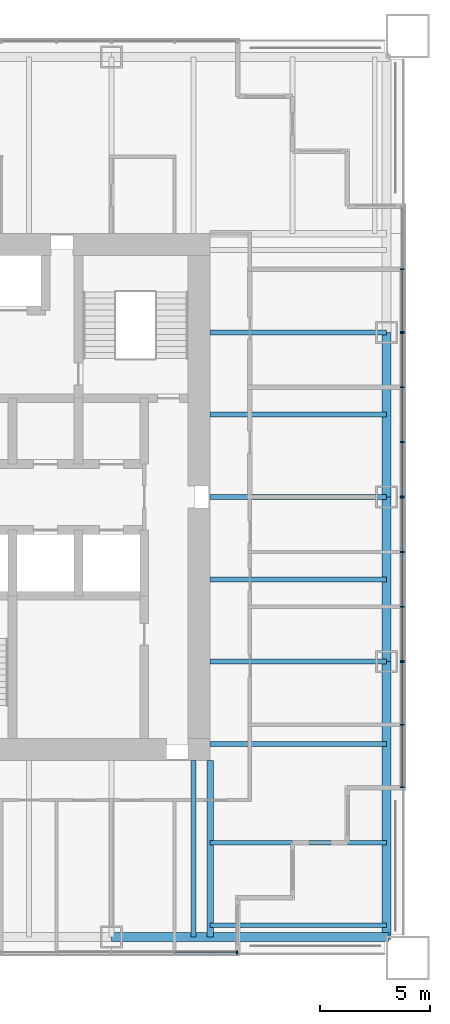
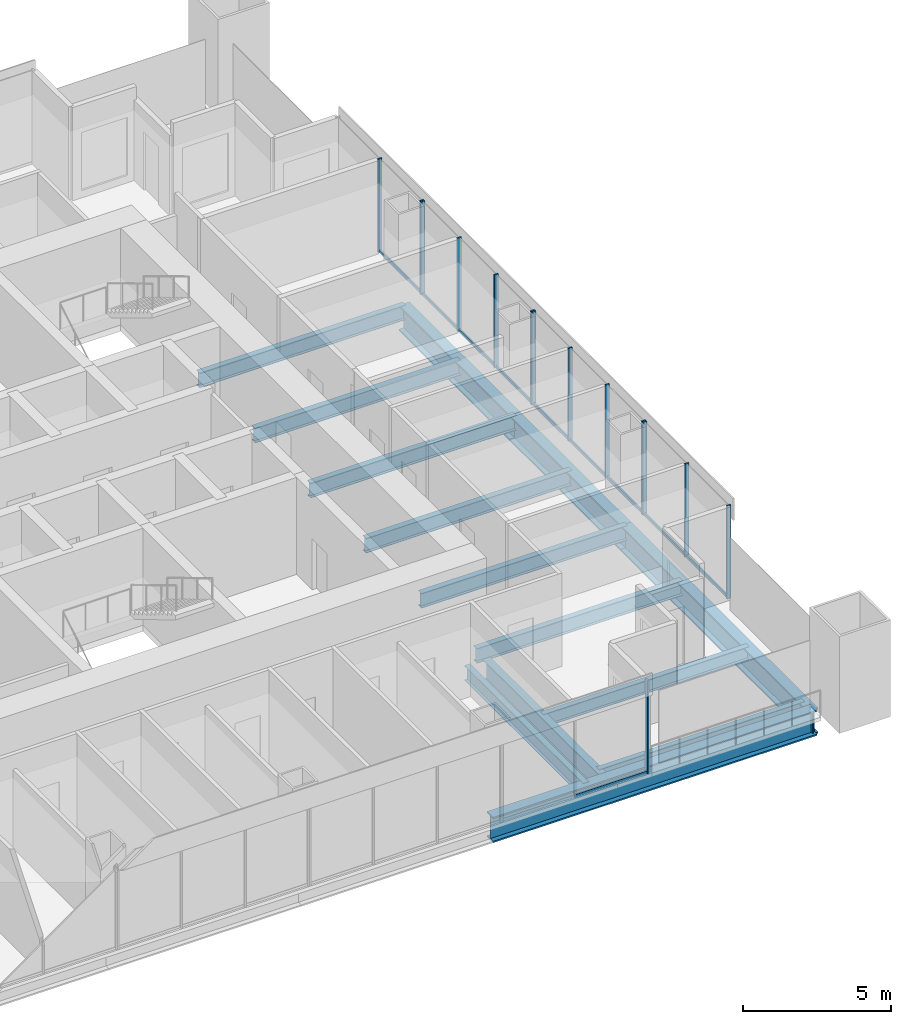
# One storey, part 5 of 15: 24 members, 14 beams, 5 elements without a shape of their own.
"""IFC4 building model written with IfcOpenShell, lengths in metres."""

from ifc_helpers import new_model, si_unit, direction, frame, origin, origin_2d, place, context, subcontext, project, spatial, rectangle, i_section, extrude, material, material_profile, profile_set, type_object, element, aggregate, save


model = new_model("IFC4")

# Units and contexts
model_context = context("Model", 3, precision=1e-05, world=origin(), true_north=direction((0.0, 1.0)))
body_context = subcontext(model_context, "Body", "Model", "MODEL_VIEW")
ifc_project = project(units=[si_unit("LENGTHUNIT", "METRE"), si_unit("AREAUNIT", "SQUARE_METRE"), si_unit("VOLUMEUNIT", "CUBIC_METRE"), si_unit("PLANEANGLEUNIT", "RADIAN"), si_unit("MASSUNIT", "GRAM", prefix="KILO")], contexts=[model_context])

# Site, building, storey
site_placement = place(None, origin())
site = spatial("IfcSite", under=ifc_project, at=site_placement, CompositionType="ELEMENT")
building_placement = place(site_placement, origin())
building = spatial("IfcBuilding", under=site, at=building_placement, Name="Tarangal Relay Tower", CompositionType="ELEMENT")
storey_placement = place(building_placement, frame((0.0, 0.0, 299.89990234375)))
storey = spatial("IfcBuildingStorey", under=building, at=storey_placement, Name="L66", CompositionType="ELEMENT", Elevation=299.89990234375)

# Beams
ifc_material_1 = material(Name="Steel ASTM A992", Category="steel")
ifc_material_profile_1 = material_profile(ifc_material_1, i_section(OverallWidth=0.209228515625, OverallDepth=0.533447265625, WebThickness=0.01025390625, FlangeThickness=0.015625, at=origin_2d()), Name="W21X62")
ifc_profile_set_1 = profile_set([ifc_material_profile_1], Name="Steel ASTM A992")
beam_type_1 = type_object("IfcBeamType", Name="Corner beam W21X62", PredefinedType="JOIST", material=ifc_profile_set_1)
for number, where, z_axis, x_axis, name in (
    (1, (12.0, -15.75, -0.41650390625), (1.0, 0.0, 0.0), (0.0, 1.0, 0.0), "Corner beam CB12 E L66"),
    (2, (12.0, -19.5, -0.41650390625), (1.0, 0.0, 0.0), (0.0, 1.0, 0.0), "Corner beam CB12 E L66"),
):
    element("IfcBeam", number, at=place(storey_placement, frame(where, z_axis=z_axis, x_axis=x_axis)), inside=storey, type_object=beam_type_1, Name=name, PredefinedType="JOIST", context=body_context, shape_type="SweptSolid", body=[
        extrude(i_section(OverallWidth=0.209228515625, OverallDepth=0.533447265625, WebThickness=0.01025390625, FlangeThickness=0.015625, at=origin_2d()), origin(), (0.0, 0.0, 1.0), 8.0400390625),
    ])
ifc_material_profile_2 = material_profile(ifc_material_1, i_section(OverallWidth=0.2919921875, OverallDepth=0.8408203125, WebThickness=0.0146484375, FlangeThickness=0.021728515625, at=origin_2d()), Name="W33X130")
ifc_profile_set_2 = profile_set([ifc_material_profile_2], Name="Steel ASTM A992")
beam_type_2 = type_object("IfcBeamType", Name="Corner girder W33X130", PredefinedType="BEAM", material=ifc_profile_set_2)
beam_placement = place(storey_placement, frame((12.0, -12.0, -0.5703125), z_axis=(0.0, -1.0, 0.0), x_axis=(1.0, 0.0, 0.0)))
element("IfcBeam", 3, at=beam_placement, inside=storey, type_object=beam_type_2, Name="Corner girder CG5 E L66", PredefinedType="BEAM", context=body_context, shape_type="SweptSolid", body=[
    extrude(i_section(OverallWidth=0.2919921875, OverallDepth=0.8408203125, WebThickness=0.0146484375, FlangeThickness=0.021728515625, at=origin_2d()), origin(), (0.0, 0.0, 1.0), 8.0400390625),
])
ifc_material_profile_3 = material_profile(ifc_material_1, i_section(OverallWidth=0.41162109375, OverallDepth=1.049072265625, WebThickness=0.033935546875, FlangeThickness=0.059814453125, at=origin_2d()), Name="W40X431")
ifc_profile_set_3 = profile_set([ifc_material_profile_3], Name="Steel ASTM A992")
beam_type_3 = type_object("IfcBeamType", Name="Edge girder W40X431", PredefinedType="SPANDREL", material=ifc_profile_set_3)
for number, where, z_axis, x_axis, name in (
    (4, (20.0400390625, 7.5, -0.67431640625), (0.0, -1.0, 0.0), (1.0, 0.0, 0.0), "Edge girder EG1 E L66"),
    (5, (20.0400390625, 0.0, -0.67431640625), (0.0, -1.0, 0.0), (1.0, 0.0, 0.0), "Edge girder EG1 E L66"),
):
    element("IfcBeam", number, at=place(storey_placement, frame(where, z_axis=z_axis, x_axis=x_axis)), inside=storey, type_object=beam_type_3, Name=name, PredefinedType="SPANDREL", context=body_context, shape_type="SweptSolid", body=[
        extrude(i_section(OverallWidth=0.41162109375, OverallDepth=1.049072265625, WebThickness=0.033935546875, FlangeThickness=0.059814453125, at=origin_2d()), origin(), (0.0, 0.0, 1.0), 7.5),
    ])
for number, where, z_axis, x_axis, name in (
    (6, (20.0400390625, -7.5, -0.67431640625), (0.0, -1.0, 0.0), (1.0, 0.0, 0.0), "Edge girder EG1 E L66"),
    (7, (20.14990234375, -20.0400390625, -0.67431640625), (-1.0, 0.0, 0.0), (0.0, -1.0, 0.0), "Edge girder EG1 S L66"),
):
    element("IfcBeam", number, at=place(storey_placement, frame(where, z_axis=z_axis, x_axis=x_axis)), inside=storey, type_object=beam_type_3, Name=name, PredefinedType="SPANDREL", context=body_context, shape_type="SweptSolid", body=[
        extrude(i_section(OverallWidth=0.41162109375, OverallDepth=1.049072265625, WebThickness=0.033935546875, FlangeThickness=0.059814453125, at=origin_2d()), origin(), (0.0, 0.0, 1.0), 12.64990234375),
    ])
ifc_material_profile_4 = material_profile(ifc_material_1, i_section(OverallWidth=0.228271484375, OverallDepth=0.607177734375, WebThickness=0.01123046875, FlangeThickness=0.017333984375, at=origin_2d()), Name="W24X76")
ifc_profile_set_4 = profile_set([ifc_material_profile_4], Name="Steel ASTM A992")
beam_type_4 = type_object("IfcBeamType", Name="Floor beam W24X76", PredefinedType="BEAM", material=ifc_profile_set_4)
for number, where, z_axis, x_axis, name in (
    (8, (12.0, 7.5, -0.453369140625), (1.0, 0.0, 0.0), (0.0, 1.0, 0.0), "Floor beam RB5 E L66"),
    (9, (12.0, 3.75, -0.453369140625), (1.0, 0.0, 0.0), (0.0, 1.0, 0.0), "Floor beam RB5 E L66"),
    (10, (12.0, 0.0, -0.453369140625), (1.0, 0.0, 0.0), (0.0, 1.0, 0.0), "Floor beam RB5 E L66"),
    (11, (12.0, -3.75, -0.453369140625), (1.0, 0.0, 0.0), (0.0, 1.0, 0.0), "Floor beam RB5 E L66"),
    (12, (12.0, -7.5, -0.453369140625), (1.0, 0.0, 0.0), (0.0, 1.0, 0.0), "Floor beam RB5 E L66"),
    (13, (12.0, -11.25, -0.453369140625), (1.0, 0.0, 0.0), (0.0, 1.0, 0.0), "Floor beam RB5 E L66"),
    (14, (11.25, -12.0, -0.453369140625), (0.0, -1.0, 0.0), (1.0, 0.0, 0.0), "Floor beam RB5 S L66"),
):
    element("IfcBeam", number, at=place(storey_placement, frame(where, z_axis=z_axis, x_axis=x_axis)), inside=storey, type_object=beam_type_4, Name=name, PredefinedType="BEAM", context=body_context, shape_type="SweptSolid", body=[
        extrude(i_section(OverallWidth=0.228271484375, OverallDepth=0.607177734375, WebThickness=0.01123046875, FlangeThickness=0.017333984375, at=origin_2d()), origin(), (0.0, 0.0, 1.0), 8.0400390625),
    ])

# Curtain wall, members
ifc_material_2 = material(Name="Unitised curtain wall, dark glass and black aluminium", Category="aluminium")
curtain_wall_type = type_object("IfcCurtainWallType", Name="Curtain wall CW-B", PredefinedType="USERDEFINED", material=ifc_material_2)
curtain_wall_1_placement = place(storey_placement, origin())
curtain_wall_1 = element("IfcCurtainWall", 15, at=curtain_wall_1_placement, inside=storey, type_object=curtain_wall_type, Name="Curtain wall CW-B E facade L66", ObjectType="UNITISED CURTAIN WALL", PredefinedType="USERDEFINED")
ifc_material_3 = material(Name="Black anodised aluminium mullion", Category="aluminium")
ifc_material_profile_5 = material_profile(ifc_material_3, rectangle(XDim=0.159912109375, YDim=0.06005859375, at=origin_2d()), Name="CW-BM 60X160")
ifc_profile_set_5 = profile_set([ifc_material_profile_5], Name="Black anodised aluminium mullion")
member_type_1 = type_object("IfcMemberType", Name="Mullion CW-B 60 x 160", PredefinedType="MULLION", material=ifc_profile_set_5)
member_1_placement = place(storey_placement, frame((20.75, 10.375, 0.0), z_axis=(0.0, 0.0, 1.0), x_axis=(1.0, 0.0, 0.0)))
member_1 = element("IfcMember", 16, at=member_1_placement, type_object=member_type_1, Name="CW-B mullion 2", PredefinedType="MULLION", context=body_context, shape_type="SweptSolid", body=[
    extrude(rectangle(XDim=0.159912109375, YDim=0.06005859375, at=origin_2d()), origin(), (0.0, 0.0, 1.0), 3.85009765625),
])
member_2_placement = place(storey_placement, frame((20.75, 7.530029296875, 0.0), z_axis=(0.0, 0.0, 1.0), x_axis=(1.0, 0.0, 0.0)))
member_2 = element("IfcMember", 17, at=member_2_placement, type_object=member_type_1, Name="CW-B mullion 3", PredefinedType="MULLION", context=body_context, shape_type="SweptSolid", body=[
    extrude(rectangle(XDim=0.159912109375, YDim=0.06005859375, at=origin_2d()), origin(), (0.0, 0.0, 1.0), 3.85009765625),
])

curtain_wall_2_placement = place(storey_placement, origin())
curtain_wall_2 = element("IfcCurtainWall", 18, at=curtain_wall_2_placement, inside=storey, type_object=curtain_wall_type, Name="Curtain wall CW-B E facade L66", ObjectType="UNITISED CURTAIN WALL", PredefinedType="USERDEFINED")
member_3_placement = place(storey_placement, frame((20.75, 7.469970703125, 0.0), z_axis=(0.0, 0.0, 1.0), x_axis=(1.0, 0.0, 0.0)))
member_3 = element("IfcMember", 19, at=member_3_placement, type_object=member_type_1, Name="CW-B mullion 1", PredefinedType="MULLION", context=body_context, shape_type="SweptSolid", body=[
    extrude(rectangle(XDim=0.159912109375, YDim=0.06005859375, at=origin_2d()), origin(), (0.0, 0.0, 1.0), 3.85009765625),
])
member_4_placement = place(storey_placement, frame((20.75, 5.0, 0.0), z_axis=(0.0, 0.0, 1.0), x_axis=(1.0, 0.0, 0.0)))
member_4 = element("IfcMember", 20, at=member_4_placement, type_object=member_type_1, Name="CW-B mullion 2", PredefinedType="MULLION", context=body_context, shape_type="SweptSolid", body=[
    extrude(rectangle(XDim=0.159912109375, YDim=0.06005859375, at=origin_2d()), origin(), (0.0, 0.0, 1.0), 3.85009765625),
])
member_5_placement = place(storey_placement, frame((20.75, 2.5, 0.0), z_axis=(0.0, 0.0, 1.0), x_axis=(1.0, 0.0, 0.0)))
member_5 = element("IfcMember", 21, at=member_5_placement, type_object=member_type_1, Name="CW-B mullion 3", PredefinedType="MULLION", context=body_context, shape_type="SweptSolid", body=[
    extrude(rectangle(XDim=0.159912109375, YDim=0.06005859375, at=origin_2d()), origin(), (0.0, 0.0, 1.0), 3.85009765625),
])
member_6_placement = place(storey_placement, frame((20.75, 0.030029296875, 0.0), z_axis=(0.0, 0.0, 1.0), x_axis=(1.0, 0.0, 0.0)))
member_6 = element("IfcMember", 22, at=member_6_placement, type_object=member_type_1, Name="CW-B mullion 4", PredefinedType="MULLION", context=body_context, shape_type="SweptSolid", body=[
    extrude(rectangle(XDim=0.159912109375, YDim=0.06005859375, at=origin_2d()), origin(), (0.0, 0.0, 1.0), 3.85009765625),
])

curtain_wall_3_placement = place(storey_placement, origin())
curtain_wall_3 = element("IfcCurtainWall", 23, at=curtain_wall_3_placement, inside=storey, type_object=curtain_wall_type, Name="Curtain wall CW-B E facade L66", ObjectType="UNITISED CURTAIN WALL", PredefinedType="USERDEFINED")
member_7_placement = place(storey_placement, frame((20.75, -0.030029296875, 0.0), z_axis=(0.0, 0.0, 1.0), x_axis=(1.0, 0.0, 0.0)))
member_7 = element("IfcMember", 24, at=member_7_placement, type_object=member_type_1, Name="CW-B mullion 1", PredefinedType="MULLION", context=body_context, shape_type="SweptSolid", body=[
    extrude(rectangle(XDim=0.159912109375, YDim=0.06005859375, at=origin_2d()), origin(), (0.0, 0.0, 1.0), 3.85009765625),
])
member_8_placement = place(storey_placement, frame((20.75, -2.5, 0.0), z_axis=(0.0, 0.0, 1.0), x_axis=(1.0, 0.0, 0.0)))
member_8 = element("IfcMember", 25, at=member_8_placement, type_object=member_type_1, Name="CW-B mullion 2", PredefinedType="MULLION", context=body_context, shape_type="SweptSolid", body=[
    extrude(rectangle(XDim=0.159912109375, YDim=0.06005859375, at=origin_2d()), origin(), (0.0, 0.0, 1.0), 3.85009765625),
])
member_9_placement = place(storey_placement, frame((20.75, -5.0, 0.0), z_axis=(0.0, 0.0, 1.0), x_axis=(1.0, 0.0, 0.0)))
member_9 = element("IfcMember", 26, at=member_9_placement, type_object=member_type_1, Name="CW-B mullion 3", PredefinedType="MULLION", context=body_context, shape_type="SweptSolid", body=[
    extrude(rectangle(XDim=0.159912109375, YDim=0.06005859375, at=origin_2d()), origin(), (0.0, 0.0, 1.0), 3.85009765625),
])
member_10_placement = place(storey_placement, frame((20.75, -7.469970703125, 0.0), z_axis=(0.0, 0.0, 1.0), x_axis=(1.0, 0.0, 0.0)))
member_10 = element("IfcMember", 27, at=member_10_placement, type_object=member_type_1, Name="CW-B mullion 4", PredefinedType="MULLION", context=body_context, shape_type="SweptSolid", body=[
    extrude(rectangle(XDim=0.159912109375, YDim=0.06005859375, at=origin_2d()), origin(), (0.0, 0.0, 1.0), 3.85009765625),
])

curtain_wall_4_placement = place(storey_placement, origin())
curtain_wall_4 = element("IfcCurtainWall", 28, at=curtain_wall_4_placement, inside=storey, type_object=curtain_wall_type, Name="Curtain wall CW-B E facade L66", ObjectType="UNITISED CURTAIN WALL", PredefinedType="USERDEFINED")
member_11_placement = place(storey_placement, frame((20.75, -7.530029296875, 0.0), z_axis=(0.0, 0.0, 1.0), x_axis=(1.0, 0.0, 0.0)))
member_11 = element("IfcMember", 29, at=member_11_placement, type_object=member_type_1, Name="CW-B mullion 1", PredefinedType="MULLION", context=body_context, shape_type="SweptSolid", body=[
    extrude(rectangle(XDim=0.159912109375, YDim=0.06005859375, at=origin_2d()), origin(), (0.0, 0.0, 1.0), 3.85009765625),
])
member_12_placement = place(storey_placement, frame((20.75, -10.375, 0.0), z_axis=(0.0, 0.0, 1.0), x_axis=(1.0, 0.0, 0.0)))
member_12 = element("IfcMember", 30, at=member_12_placement, type_object=member_type_1, Name="CW-B mullion 2", PredefinedType="MULLION", context=body_context, shape_type="SweptSolid", body=[
    extrude(rectangle(XDim=0.159912109375, YDim=0.06005859375, at=origin_2d()), origin(), (0.0, 0.0, 1.0), 3.85009765625),
])
member_13_placement = place(storey_placement, frame((20.75, -13.219970703125, 0.0), z_axis=(0.0, 0.0, 1.0), x_axis=(1.0, 0.0, 0.0)))
member_13 = element("IfcMember", 31, at=member_13_placement, type_object=member_type_1, Name="CW-B mullion 3", PredefinedType="MULLION", context=body_context, shape_type="SweptSolid", body=[
    extrude(rectangle(XDim=0.159912109375, YDim=0.06005859375, at=origin_2d()), origin(), (0.0, 0.0, 1.0), 3.85009765625),
])

# Curtain wall, member
curtain_wall_5_placement = place(storey_placement, origin())
curtain_wall_5 = element("IfcCurtainWall", 32, at=curtain_wall_5_placement, inside=storey, type_object=curtain_wall_type, Name="Curtain wall CW-B S facade L66", ObjectType="UNITISED CURTAIN WALL", PredefinedType="USERDEFINED")
member_14_placement = place(storey_placement, frame((13.219970703125, -20.75, 0.0), z_axis=(0.0, 0.0, 1.0), x_axis=(0.0, -1.0, 0.0)))
member_14 = element("IfcMember", 33, at=member_14_placement, type_object=member_type_1, Name="CW-B mullion 1", PredefinedType="MULLION", context=body_context, shape_type="SweptSolid", body=[
    extrude(rectangle(XDim=0.159912109375, YDim=0.06005859375, at=origin_2d()), origin(), (0.0, 0.0, 1.0), 3.85009765625),
])

# Member
ifc_material_4 = material(Name="Black anodised aluminium transom", Category="aluminium")
ifc_material_profile_6 = material_profile(ifc_material_4, rectangle(XDim=0.06005859375, YDim=0.1298828125, at=origin_2d()), Name="CW-BT 60X130")
ifc_profile_set_6 = profile_set([ifc_material_profile_6], Name="Black anodised aluminium transom")
member_type_2 = type_object("IfcMemberType", Name="Transom CW-B 60 x 130", PredefinedType="USERDEFINED", material=ifc_profile_set_6)
member_15_placement = place(storey_placement, frame((20.75, 10.344970703125, 0.030029296875), z_axis=(0.0, -1.0, 0.0), x_axis=(1.0, 0.0, 0.0)))
member_15 = element("IfcMember", 34, at=member_15_placement, type_object=member_type_2, Name="CW-B transom 2.1", ObjectType="TRANSOM", PredefinedType="USERDEFINED", context=body_context, shape_type="SweptSolid", body=[
    extrude(rectangle(XDim=0.06005859375, YDim=0.1298828125, at=origin_2d()), origin(), (0.0, 0.0, 1.0), 2.784912109375),
])

aggregate(curtain_wall_1, [member_1, member_2, member_15])

member_16_placement = place(storey_placement, frame((20.75, 7.43994140625, 0.030029296875), z_axis=(0.0, -1.0, 0.0), x_axis=(1.0, 0.0, 0.0)))
member_16 = element("IfcMember", 35, at=member_16_placement, type_object=member_type_2, Name="CW-B transom 1.1", ObjectType="TRANSOM", PredefinedType="USERDEFINED", context=body_context, shape_type="SweptSolid", body=[
    extrude(rectangle(XDim=0.06005859375, YDim=0.1298828125, at=origin_2d()), origin(), (0.0, 0.0, 1.0), 2.409912109375),
])

member_17_placement = place(storey_placement, frame((20.75, 4.969970703125, 0.030029296875), z_axis=(0.0, -1.0, 0.0), x_axis=(1.0, 0.0, 0.0)))
member_17 = element("IfcMember", 36, at=member_17_placement, type_object=member_type_2, Name="CW-B transom 2.1", ObjectType="TRANSOM", PredefinedType="USERDEFINED", context=body_context, shape_type="SweptSolid", body=[
    extrude(rectangle(XDim=0.06005859375, YDim=0.1298828125, at=origin_2d()), origin(), (0.0, 0.0, 1.0), 2.43994140625),
])

member_18_placement = place(storey_placement, frame((20.75, 2.469970703125, 0.030029296875), z_axis=(0.0, -1.0, 0.0), x_axis=(1.0, 0.0, 0.0)))
member_18 = element("IfcMember", 37, at=member_18_placement, type_object=member_type_2, Name="CW-B transom 3.1", ObjectType="TRANSOM", PredefinedType="USERDEFINED", context=body_context, shape_type="SweptSolid", body=[
    extrude(rectangle(XDim=0.06005859375, YDim=0.1298828125, at=origin_2d()), origin(), (0.0, 0.0, 1.0), 2.409912109375),
])

aggregate(curtain_wall_2, [member_3, member_4, member_5, member_6, member_16, member_17, member_18])

member_19_placement = place(storey_placement, frame((20.75, -0.06005859375, 0.030029296875), z_axis=(0.0, -1.0, 0.0), x_axis=(1.0, 0.0, 0.0)))
member_19 = element("IfcMember", 38, at=member_19_placement, type_object=member_type_2, Name="CW-B transom 1.1", ObjectType="TRANSOM", PredefinedType="USERDEFINED", context=body_context, shape_type="SweptSolid", body=[
    extrude(rectangle(XDim=0.06005859375, YDim=0.1298828125, at=origin_2d()), origin(), (0.0, 0.0, 1.0), 2.409912109375),
])

member_20_placement = place(storey_placement, frame((20.75, -2.530029296875, 0.030029296875), z_axis=(0.0, -1.0, 0.0), x_axis=(1.0, 0.0, 0.0)))
member_20 = element("IfcMember", 39, at=member_20_placement, type_object=member_type_2, Name="CW-B transom 2.1", ObjectType="TRANSOM", PredefinedType="USERDEFINED", context=body_context, shape_type="SweptSolid", body=[
    extrude(rectangle(XDim=0.06005859375, YDim=0.1298828125, at=origin_2d()), origin(), (0.0, 0.0, 1.0), 2.43994140625),
])

member_21_placement = place(storey_placement, frame((20.75, -5.030029296875, 0.030029296875), z_axis=(0.0, -1.0, 0.0), x_axis=(1.0, 0.0, 0.0)))
member_21 = element("IfcMember", 40, at=member_21_placement, type_object=member_type_2, Name="CW-B transom 3.1", ObjectType="TRANSOM", PredefinedType="USERDEFINED", context=body_context, shape_type="SweptSolid", body=[
    extrude(rectangle(XDim=0.06005859375, YDim=0.1298828125, at=origin_2d()), origin(), (0.0, 0.0, 1.0), 2.409912109375),
])

aggregate(curtain_wall_3, [member_7, member_8, member_9, member_10, member_19, member_20, member_21])

member_22_placement = place(storey_placement, frame((20.75, -7.56005859375, 0.030029296875), z_axis=(0.0, -1.0, 0.0), x_axis=(1.0, 0.0, 0.0)))
member_22 = element("IfcMember", 41, at=member_22_placement, type_object=member_type_2, Name="CW-B transom 1.1", ObjectType="TRANSOM", PredefinedType="USERDEFINED", context=body_context, shape_type="SweptSolid", body=[
    extrude(rectangle(XDim=0.06005859375, YDim=0.1298828125, at=origin_2d()), origin(), (0.0, 0.0, 1.0), 2.784912109375),
])

member_23_placement = place(storey_placement, frame((20.75, -10.405029296875, 0.030029296875), z_axis=(0.0, -1.0, 0.0), x_axis=(1.0, 0.0, 0.0)))
member_23 = element("IfcMember", 42, at=member_23_placement, type_object=member_type_2, Name="CW-B transom 2.1", ObjectType="TRANSOM", PredefinedType="USERDEFINED", context=body_context, shape_type="SweptSolid", body=[
    extrude(rectangle(XDim=0.06005859375, YDim=0.1298828125, at=origin_2d()), origin(), (0.0, 0.0, 1.0), 2.784912109375),
])

aggregate(curtain_wall_4, [member_11, member_12, member_13, member_22, member_23])

member_24_placement = place(storey_placement, frame((13.18994140625, -20.75, 0.030029296875), z_axis=(-1.0, 0.0, 0.0), x_axis=(0.0, -1.0, 0.0)))
member_24 = element("IfcMember", 43, at=member_24_placement, type_object=member_type_2, Name="CW-B transom 1.1", ObjectType="TRANSOM", PredefinedType="USERDEFINED", context=body_context, shape_type="SweptSolid", body=[
    extrude(rectangle(XDim=0.06005859375, YDim=0.1298828125, at=origin_2d()), origin(), (0.0, 0.0, 1.0), 2.784912109375),
])

aggregate(curtain_wall_5, [member_14, member_24])

save(model, "model.ifc")
